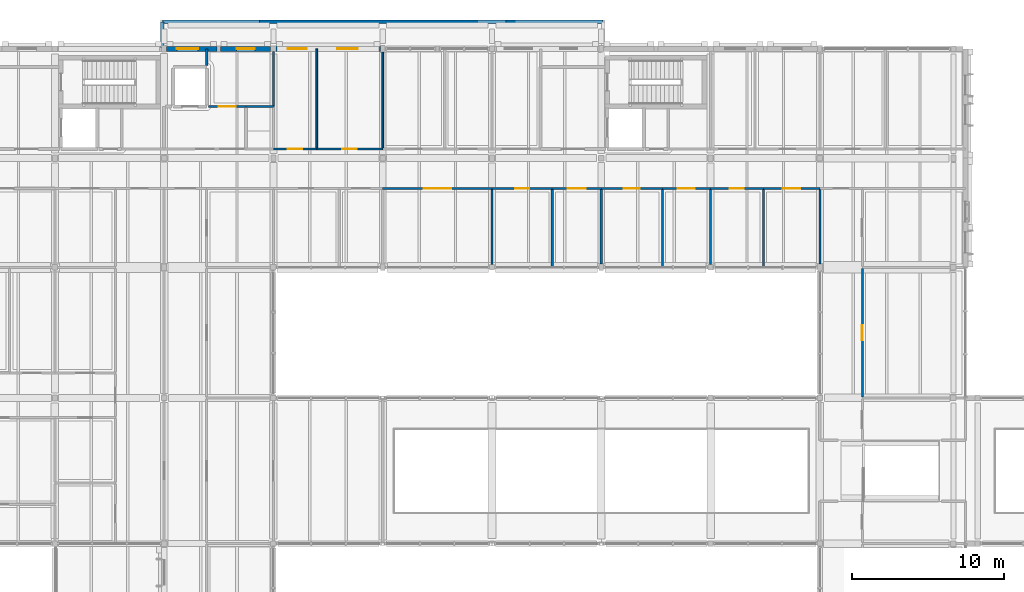
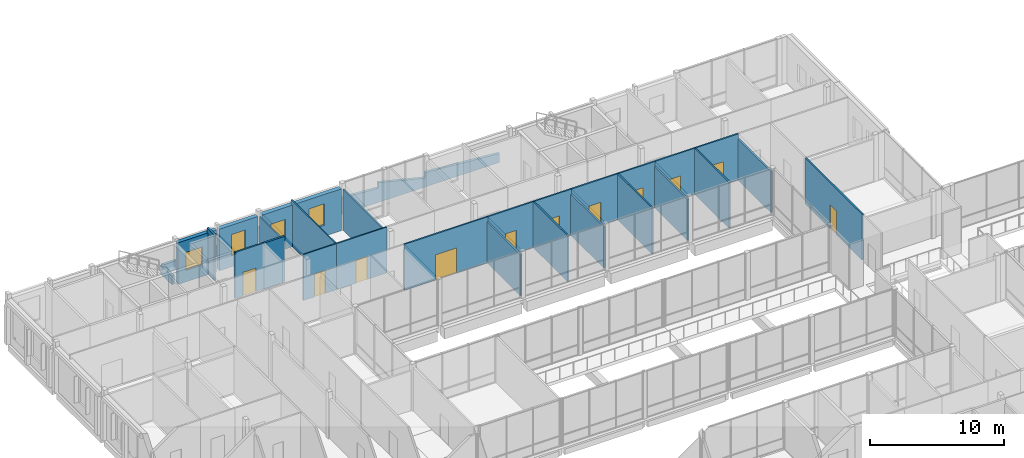
# One storey, part 110 of 146: 28 walls, 11 doors, 4 windows, 15 openings.
"""IFC4 building model written with IfcOpenShell, lengths in metres."""

from ifc_helpers import new_model, si_unit, direction, frame, frame_2d, origin, place, context, subcontext, project, spatial, polyline, rectangle, outline, extrude, material, layer, layer_set, type_object, element, fill, save


model = new_model("IFC4")

# Units and contexts
model_context = context("Model", 3, precision=1e-05, world=origin(), true_north=direction((0.0, 1.0)))
body_context = subcontext(model_context, "Body", "Model", "MODEL_VIEW")
ifc_project = project(units=[si_unit("LENGTHUNIT", "METRE"), si_unit("AREAUNIT", "SQUARE_METRE"), si_unit("VOLUMEUNIT", "CUBIC_METRE"), si_unit("PLANEANGLEUNIT", "RADIAN"), si_unit("MASSUNIT", "GRAM", prefix="KILO")], contexts=[model_context])

# Site, building, storey
site_placement = place(None, origin())
site = spatial("IfcSite", under=ifc_project, at=site_placement, CompositionType="ELEMENT")
building_placement = place(site_placement, origin())
building = spatial("IfcBuilding", under=site, at=building_placement, Name="Hawrajan Terrace Health Centre", CompositionType="ELEMENT")
storey_placement = place(building_placement, frame((0.0, 0.0, 4.5)))
storey = spatial("IfcBuildingStorey", under=building, at=storey_placement, Name="L01", CompositionType="ELEMENT", Elevation=4.5)

# Wall, opening, door
ifc_material_1 = material(Name="Gypsum board on acoustic stud framing")
ifc_layer_1 = layer(ifc_material_1, 0.139892578125)
ifc_layer_set_1 = layer_set([ifc_layer_1], Name="Gypsum board on acoustic stud framing")
wall_type_1 = type_object("IfcWallType", Name="ClinicalAcousticWall_140", PredefinedType="PARTITIONING", material=ifc_layer_set_1)
wall_1_placement = place(storey_placement, frame((21.909912109375, 56.0, 0.0), z_axis=(0.0, 0.0, 1.0), x_axis=(1.0, 0.0, 0.0)))
wall_1 = element("IfcWall", 1, at=wall_1_placement, inside=storey, type_object=wall_type_1, Name="Interior wall IW-L01-0562", PredefinedType="PARTITIONING", context=body_context, shape_type="SweptSolid", body=[
    extrude(rectangle(XDim=2.489990234375, YDim=0.139892578125, at=frame_2d((1.2451171875, 0.0))), origin(), (0.0, 0.0, 1.0), 4.179931640625),
])
opening_1_placement = place(wall_1_placement, frame((0.68505859375, 0.0, 0.0)))
opening_1 = element("IfcOpeningElement", 2, at=opening_1_placement, cuts=wall_1, Name="Opening D-L01-321", PredefinedType="OPENING", context=body_context, shape_type="SweptSolid", body=[
    extrude(rectangle(XDim=1.1201171875, YDim=2.14990234375, at=frame_2d((0.56005859375, 1.074951171875))), frame((0.0, 0.079833984375, 0.0), z_axis=(0.0, -1.0, 0.0), x_axis=(1.0, 0.0, 0.0)), (0.0, 0.0, 1.0), 0.159912109375),
])
ifc_material_2 = material(Name="Hardwood acoustic clinical door leaf and frame", Category="wood")
door_type_1 = type_object("IfcDoorType", Name="DentalSurgeryDoor_1120x2150", OperationType="NOTDEFINED", PredefinedType="DOOR", material=ifc_material_2)
door_1_placement = place(opening_1_placement, origin())
door_1 = element("IfcDoor", 3, at=door_1_placement, inside=storey, type_object=door_type_1, Name="Interior door D-L01-321", OperationType="SINGLE_SWING_LEFT", OverallHeight=2.14990234375, OverallWidth=1.1201171875, PredefinedType="DOOR", context=body_context, shape_type="SweptSolid", body=[
    extrude(rectangle(XDim=1.1201171875, YDim=2.14990234375, at=frame_2d((0.56005859375, 1.074951171875))), frame((0.0, 0.02490234375, 0.0), z_axis=(0.0, -1.0, 0.0), x_axis=(1.0, 0.0, 0.0)), (0.0, 0.0, 1.0), 0.050048828125),
])
fill(opening_1, door_1)

wall_2_placement = place(storey_placement, frame((33.39990234375, 50.60009765625, 0.0), z_axis=(0.0, 0.0, 1.0), x_axis=(1.0, 0.0, 0.0)))
wall_2 = element("IfcWall", 4, at=wall_2_placement, inside=storey, type_object=wall_type_1, Name="Interior wall IW-L01-0583", PredefinedType="PARTITIONING", context=body_context, shape_type="SweptSolid", body=[
    extrude(rectangle(XDim=7.2001953125, YDim=0.139892578125, at=frame_2d((3.60009765625, 0.0))), origin(), (0.0, 0.0, 1.0), 4.179931640625),
])
opening_2_placement = place(wall_2_placement, frame((2.699951171875, 0.0, 0.0)))
opening_2 = element("IfcOpeningElement", 5, at=opening_2_placement, cuts=wall_2, Name="Opening D-L01-324", PredefinedType="OPENING", context=body_context, shape_type="SweptSolid", body=[
    extrude(rectangle(XDim=1.800048828125, YDim=2.300048828125, at=frame_2d((0.89990234375, 1.14990234375))), frame((0.0, 0.079833984375, 0.0), z_axis=(0.0, -1.0, 0.0), x_axis=(1.0, 0.0, 0.0)), (0.0, 0.0, 1.0), 0.159912109375),
])
door_type_2 = type_object("IfcDoorType", Name="EducationHallDoor_1800x2300", OperationType="DOUBLE_DOOR_SINGLE_SWING", PredefinedType="DOOR", material=ifc_material_2)
door_2_placement = place(opening_2_placement, origin())
door_2 = element("IfcDoor", 6, at=door_2_placement, inside=storey, type_object=door_type_2, Name="Interior door D-L01-324", OperationType="DOUBLE_DOOR_SINGLE_SWING", OverallHeight=2.300048828125, OverallWidth=1.800048828125, PredefinedType="DOOR", context=body_context, shape_type="SweptSolid", body=[
    extrude(rectangle(XDim=1.800048828125, YDim=2.300048828125, at=frame_2d((0.89990234375, 1.14990234375))), frame((0.0, 0.02490234375, 0.0), z_axis=(0.0, -1.0, 0.0), x_axis=(1.0, 0.0, 0.0)), (0.0, 0.0, 1.0), 0.050048828125),
])
fill(opening_2, door_2)

# Wall
wall_3_placement = place(storey_placement, frame((40.60009765625, 45.580078125, 0.0), z_axis=(0.0, 0.0, 1.0), x_axis=(0.0, 1.0, 0.0)))
element("IfcWall", 7, at=wall_3_placement, inside=storey, type_object=wall_type_1, Name="Interior wall IW-L01-0592", PredefinedType="PARTITIONING", context=body_context, shape_type="SweptSolid", body=[
    extrude(rectangle(XDim=4.949951171875, YDim=0.139892578125, at=frame_2d((2.47509765625, 0.0))), origin(), (0.0, 0.0, 1.0), 3.739990234375),
])

# Wall, opening, door
wall_4_placement = place(storey_placement, frame((40.60009765625, 50.60009765625, 0.0), z_axis=(0.0, 0.0, 1.0), x_axis=(1.0, 0.0, 0.0)))
wall_4 = element("IfcWall", 8, at=wall_4_placement, inside=storey, type_object=wall_type_1, Name="Interior wall IW-L01-0593", PredefinedType="PARTITIONING", context=body_context, shape_type="SweptSolid", body=[
    extrude(rectangle(XDim=3.966796875, YDim=0.139892578125, at=frame_2d((1.9833984375, 0.0))), origin(), (0.0, 0.0, 1.0), 4.179931640625),
])
opening_3_placement = place(wall_4_placement, frame((1.5234375, 0.0, 0.0)))
opening_3 = element("IfcOpeningElement", 9, at=opening_3_placement, cuts=wall_4, Name="Opening D-L01-327", PredefinedType="OPENING", context=body_context, shape_type="SweptSolid", body=[
    extrude(rectangle(XDim=0.919921875, YDim=2.10009765625, at=frame_2d((0.4599609375, 1.050048828125))), frame((0.0, 0.079833984375, 0.0), z_axis=(0.0, -1.0, 0.0), x_axis=(1.0, 0.0, 0.0)), (0.0, 0.0, 1.0), 0.159912109375),
])
door_type_3 = type_object("IfcDoorType", Name="StaffOfficeDoor_920x2100", OperationType="NOTDEFINED", PredefinedType="DOOR", material=ifc_material_2)
door_3_placement = place(opening_3_placement, origin())
door_3 = element("IfcDoor", 10, at=door_3_placement, inside=storey, type_object=door_type_3, Name="Interior door D-L01-327", OperationType="SINGLE_SWING_LEFT", OverallHeight=2.10009765625, OverallWidth=0.919921875, PredefinedType="DOOR", context=body_context, shape_type="SweptSolid", body=[
    extrude(rectangle(XDim=0.919921875, YDim=2.10009765625, at=frame_2d((0.4599609375, 1.050048828125))), frame((0.0, 0.02490234375, 0.0), z_axis=(0.0, -1.0, 0.0), x_axis=(1.0, 0.0, 0.0)), (0.0, 0.0, 1.0), 0.050048828125),
])
fill(opening_3, door_3)

# Wall
wall_5_placement = place(storey_placement, frame((44.56689453125, 45.39990234375, 0.0), z_axis=(0.0, 0.0, 1.0), x_axis=(0.0, 1.0, 0.0)))
element("IfcWall", 11, at=wall_5_placement, inside=storey, type_object=wall_type_1, Name="Interior wall IW-L01-0598", PredefinedType="PARTITIONING", context=body_context, shape_type="SweptSolid", body=[
    extrude(rectangle(XDim=5.130126953125, YDim=0.139892578125, at=frame_2d((2.56494140625, 0.0))), origin(), (0.0, 0.0, 1.0), 4.179931640625),
])

# Wall, opening, door
wall_6_placement = place(storey_placement, frame((44.56689453125, 50.60009765625, 0.0), z_axis=(0.0, 0.0, 1.0), x_axis=(1.0, 0.0, 0.0)))
wall_6 = element("IfcWall", 12, at=wall_6_placement, inside=storey, type_object=wall_type_1, Name="Interior wall IW-L01-0599", PredefinedType="PARTITIONING", context=body_context, shape_type="SweptSolid", body=[
    extrude(rectangle(XDim=3.233154296875, YDim=0.139892578125, at=frame_2d((1.61669921875, 0.0))), origin(), (0.0, 0.0, 1.0), 4.179931640625),
])
opening_4_placement = place(wall_6_placement, frame((1.03662109375, 0.0, 0.0)))
opening_4 = element("IfcOpeningElement", 13, at=opening_4_placement, cuts=wall_6, Name="Opening D-L01-328", PredefinedType="OPENING", context=body_context, shape_type="SweptSolid", body=[
    extrude(rectangle(XDim=1.159912109375, YDim=2.10009765625, at=frame_2d((0.580078125, 1.050048828125))), frame((0.0, 0.079833984375, 0.0), z_axis=(0.0, -1.0, 0.0), x_axis=(1.0, 0.0, 0.0)), (0.0, 0.0, 1.0), 0.159912109375),
])
door_type_4 = type_object("IfcDoorType", Name="ConsultDoor_1160x2100", OperationType="NOTDEFINED", PredefinedType="DOOR", material=ifc_material_2)
door_4_placement = place(opening_4_placement, origin())
door_4 = element("IfcDoor", 14, at=door_4_placement, inside=storey, type_object=door_type_4, Name="Interior door D-L01-328", OperationType="SINGLE_SWING_RIGHT", OverallHeight=2.10009765625, OverallWidth=1.159912109375, PredefinedType="DOOR", context=body_context, shape_type="SweptSolid", body=[
    extrude(rectangle(XDim=1.159912109375, YDim=2.10009765625, at=frame_2d((0.580078125, 1.050048828125))), frame((0.0, 0.02490234375, 0.0), z_axis=(0.0, -1.0, 0.0), x_axis=(1.0, 0.0, 0.0)), (0.0, 0.0, 1.0), 0.050048828125),
])
fill(opening_4, door_4)

# Wall
wall_7_placement = place(storey_placement, frame((47.800048828125, 45.610107421875, 0.0), z_axis=(0.0, 0.0, 1.0), x_axis=(0.0, 1.0, 0.0)))
element("IfcWall", 15, at=wall_7_placement, inside=storey, type_object=wall_type_1, Name="Interior wall IW-L01-0603", PredefinedType="PARTITIONING", context=body_context, shape_type="SweptSolid", body=[
    extrude(rectangle(XDim=4.919921875, YDim=0.139892578125, at=frame_2d((2.4599609375, 0.0))), origin(), (0.0, 0.0, 1.0), 3.739990234375),
])

# Wall, opening, door
wall_8_placement = place(storey_placement, frame((47.800048828125, 50.60009765625, 0.0), z_axis=(0.0, 0.0, 1.0), x_axis=(1.0, 0.0, 0.0)))
wall_8 = element("IfcWall", 16, at=wall_8_placement, inside=storey, type_object=wall_type_1, Name="Interior wall IW-L01-0604", PredefinedType="PARTITIONING", context=body_context, shape_type="SweptSolid", body=[
    extrude(rectangle(XDim=4.02490234375, YDim=0.139892578125, at=frame_2d((2.012451171875, 0.0))), origin(), (0.0, 0.0, 1.0), 4.179931640625),
])
opening_5_placement = place(wall_8_placement, frame((1.492431640625, 0.0, 0.0)))
opening_5 = element("IfcOpeningElement", 17, at=opening_5_placement, cuts=wall_8, Name="Opening D-L01-330", PredefinedType="OPENING", context=body_context, shape_type="SweptSolid", body=[
    extrude(rectangle(XDim=1.0400390625, YDim=2.10009765625, at=frame_2d((0.52001953125, 1.050048828125))), frame((0.0, 0.079833984375, 0.0), z_axis=(0.0, -1.0, 0.0), x_axis=(1.0, 0.0, 0.0)), (0.0, 0.0, 1.0), 0.159912109375),
])
door_type_5 = type_object("IfcDoorType", Name="ConsultDoor_1040x2100", OperationType="NOTDEFINED", PredefinedType="DOOR", material=ifc_material_2)
door_5_placement = place(opening_5_placement, origin())
door_5 = element("IfcDoor", 18, at=door_5_placement, inside=storey, type_object=door_type_5, Name="Interior door D-L01-330", OperationType="SINGLE_SWING_RIGHT", OverallHeight=2.10009765625, OverallWidth=1.0400390625, PredefinedType="DOOR", context=body_context, shape_type="SweptSolid", body=[
    extrude(rectangle(XDim=1.0400390625, YDim=2.10009765625, at=frame_2d((0.52001953125, 1.050048828125))), frame((0.0, 0.02490234375, 0.0), z_axis=(0.0, -1.0, 0.0), x_axis=(1.0, 0.0, 0.0)), (0.0, 0.0, 1.0), 0.050048828125),
])
fill(opening_5, door_5)

# Wall
wall_9_placement = place(storey_placement, frame((51.824951171875, 45.39990234375, 0.0), z_axis=(0.0, 0.0, 1.0), x_axis=(0.0, 1.0, 0.0)))
element("IfcWall", 19, at=wall_9_placement, inside=storey, type_object=wall_type_1, Name="Interior wall IW-L01-0610", PredefinedType="PARTITIONING", context=body_context, shape_type="SweptSolid", body=[
    extrude(rectangle(XDim=5.130126953125, YDim=0.139892578125, at=frame_2d((2.56494140625, 0.0))), origin(), (0.0, 0.0, 1.0), 4.179931640625),
])

# Wall, opening, door
wall_10_placement = place(storey_placement, frame((51.824951171875, 50.60009765625, 0.0), z_axis=(0.0, 0.0, 1.0), x_axis=(1.0, 0.0, 0.0)))
wall_10 = element("IfcWall", 20, at=wall_10_placement, inside=storey, type_object=wall_type_1, Name="Interior wall IW-L01-0611", PredefinedType="PARTITIONING", context=body_context, shape_type="SweptSolid", body=[
    extrude(rectangle(XDim=3.175048828125, YDim=0.139892578125, at=frame_2d((1.58740234375, 0.0))), origin(), (0.0, 0.0, 1.0), 4.179931640625),
])
opening_6_placement = place(wall_10_placement, frame((1.027587890625, 0.0, 0.0)))
opening_6 = element("IfcOpeningElement", 21, at=opening_6_placement, cuts=wall_10, Name="Opening D-L01-331", PredefinedType="OPENING", context=body_context, shape_type="SweptSolid", body=[
    extrude(rectangle(XDim=1.1201171875, YDim=2.14990234375, at=frame_2d((0.56005859375, 1.074951171875))), frame((0.0, 0.079833984375, 0.0), z_axis=(0.0, -1.0, 0.0), x_axis=(1.0, 0.0, 0.0)), (0.0, 0.0, 1.0), 0.159912109375),
])
door_6_placement = place(opening_6_placement, origin())
door_6 = element("IfcDoor", 22, at=door_6_placement, inside=storey, type_object=door_type_1, Name="Interior door D-L01-331", OperationType="SINGLE_SWING_LEFT", OverallHeight=2.14990234375, OverallWidth=1.1201171875, PredefinedType="DOOR", context=body_context, shape_type="SweptSolid", body=[
    extrude(rectangle(XDim=1.1201171875, YDim=2.14990234375, at=frame_2d((0.56005859375, 1.074951171875))), frame((0.0, 0.02490234375, 0.0), z_axis=(0.0, -1.0, 0.0), x_axis=(1.0, 0.0, 0.0)), (0.0, 0.0, 1.0), 0.050048828125),
])
fill(opening_6, door_6)

# Wall
wall_11_placement = place(storey_placement, frame((55.0, 45.580078125, 0.0), z_axis=(0.0, 0.0, 1.0), x_axis=(0.0, 1.0, 0.0)))
element("IfcWall", 23, at=wall_11_placement, inside=storey, type_object=wall_type_1, Name="Interior wall IW-L01-0614", PredefinedType="PARTITIONING", context=body_context, shape_type="SweptSolid", body=[
    extrude(rectangle(XDim=4.949951171875, YDim=0.139892578125, at=frame_2d((2.47509765625, 0.0))), origin(), (0.0, 0.0, 1.0), 3.739990234375),
])

# Wall, opening, door
wall_12_placement = place(storey_placement, frame((55.0, 50.60009765625, 0.0), z_axis=(0.0, 0.0, 1.0), x_axis=(1.0, 0.0, 0.0)))
wall_12 = element("IfcWall", 24, at=wall_12_placement, inside=storey, type_object=wall_type_1, Name="Interior wall IW-L01-0615", PredefinedType="PARTITIONING", context=body_context, shape_type="SweptSolid", body=[
    extrude(rectangle(XDim=3.47802734375, YDim=0.139892578125, at=frame_2d((1.739013671875, 0.0))), origin(), (0.0, 0.0, 1.0), 4.179931640625),
])
opening_7_placement = place(wall_12_placement, frame((1.279052734375, 0.0, 0.0)))
opening_7 = element("IfcOpeningElement", 25, at=opening_7_placement, cuts=wall_12, Name="Opening D-L01-332", PredefinedType="OPENING", context=body_context, shape_type="SweptSolid", body=[
    extrude(rectangle(XDim=0.919921875, YDim=2.10009765625, at=frame_2d((0.4599609375, 1.050048828125))), frame((0.0, 0.079833984375, 0.0), z_axis=(0.0, -1.0, 0.0), x_axis=(1.0, 0.0, 0.0)), (0.0, 0.0, 1.0), 0.159912109375),
])
door_7_placement = place(opening_7_placement, origin())
door_7 = element("IfcDoor", 26, at=door_7_placement, inside=storey, type_object=door_type_3, Name="Interior door D-L01-332", OperationType="SINGLE_SWING_RIGHT", OverallHeight=2.10009765625, OverallWidth=0.919921875, PredefinedType="DOOR", context=body_context, shape_type="SweptSolid", body=[
    extrude(rectangle(XDim=0.919921875, YDim=2.10009765625, at=frame_2d((0.4599609375, 1.050048828125))), frame((0.0, 0.02490234375, 0.0), z_axis=(0.0, -1.0, 0.0), x_axis=(1.0, 0.0, 0.0)), (0.0, 0.0, 1.0), 0.050048828125),
])
fill(opening_7, door_7)

# Wall
wall_13_placement = place(storey_placement, frame((58.47802734375, 45.39990234375, 0.0), z_axis=(0.0, 0.0, 1.0), x_axis=(0.0, 1.0, 0.0)))
element("IfcWall", 27, at=wall_13_placement, inside=storey, type_object=wall_type_1, Name="Interior wall IW-L01-0622", PredefinedType="PARTITIONING", context=body_context, shape_type="SweptSolid", body=[
    extrude(rectangle(XDim=5.130126953125, YDim=0.139892578125, at=frame_2d((2.56494140625, 0.0))), origin(), (0.0, 0.0, 1.0), 4.179931640625),
])

# Wall, opening, door
wall_14_placement = place(storey_placement, frame((58.47802734375, 50.60009765625, 0.0), z_axis=(0.0, 0.0, 1.0), x_axis=(1.0, 0.0, 0.0)))
wall_14 = element("IfcWall", 28, at=wall_14_placement, inside=storey, type_object=wall_type_1, Name="Interior wall IW-L01-0623", PredefinedType="PARTITIONING", context=body_context, shape_type="SweptSolid", body=[
    extrude(rectangle(XDim=3.721923828125, YDim=0.139892578125, at=frame_2d((1.86083984375, 0.0))), origin(), (0.0, 0.0, 1.0), 4.179931640625),
])
opening_8_placement = place(wall_14_placement, frame((1.281005859375, 0.0, 0.0)))
opening_8 = element("IfcOpeningElement", 29, at=opening_8_placement, cuts=wall_14, Name="Opening D-L01-333", PredefinedType="OPENING", context=body_context, shape_type="SweptSolid", body=[
    extrude(rectangle(XDim=1.159912109375, YDim=2.10009765625, at=frame_2d((0.580078125, 1.050048828125))), frame((0.0, 0.079833984375, 0.0), z_axis=(0.0, -1.0, 0.0), x_axis=(1.0, 0.0, 0.0)), (0.0, 0.0, 1.0), 0.159912109375),
])
door_8_placement = place(opening_8_placement, origin())
door_8 = element("IfcDoor", 30, at=door_8_placement, inside=storey, type_object=door_type_4, Name="Interior door D-L01-333", OperationType="SINGLE_SWING_LEFT", OverallHeight=2.10009765625, OverallWidth=1.159912109375, PredefinedType="DOOR", context=body_context, shape_type="SweptSolid", body=[
    extrude(rectangle(XDim=1.159912109375, YDim=2.10009765625, at=frame_2d((0.580078125, 1.050048828125))), frame((0.0, 0.02490234375, 0.0), z_axis=(0.0, -1.0, 0.0), x_axis=(1.0, 0.0, 0.0)), (0.0, 0.0, 1.0), 0.050048828125),
])
fill(opening_8, door_8)

# Wall
wall_15_placement = place(storey_placement, frame((62.199951171875, 45.610107421875, 0.0), z_axis=(0.0, 0.0, 1.0), x_axis=(0.0, 1.0, 0.0)))
element("IfcWall", 31, at=wall_15_placement, inside=storey, type_object=wall_type_1, Name="Interior wall IW-L01-0627", PredefinedType="PARTITIONING", context=body_context, shape_type="SweptSolid", body=[
    extrude(rectangle(XDim=4.919921875, YDim=0.139892578125, at=frame_2d((2.4599609375, 0.0))), origin(), (0.0, 0.0, 1.0), 3.739990234375),
])

# Wall, opening, door
wall_16_placement = place(storey_placement, frame((65.0, 36.8701171875, 0.0), z_axis=(0.0, 0.0, 1.0), x_axis=(0.0, 1.0, 0.0)))
wall_16 = element("IfcWall", 32, at=wall_16_placement, inside=storey, type_object=wall_type_1, Name="Interior wall IW-L01-0640", PredefinedType="PARTITIONING", context=body_context, shape_type="SweptSolid", body=[
    extrude(rectangle(XDim=8.4599609375, YDim=0.139892578125, at=frame_2d((4.22998046875, 0.0))), origin(), (0.0, 0.0, 1.0), 4.179931640625),
])
opening_9_placement = place(wall_16_placement, frame((3.739990234375, 0.0, 0.0)))
opening_9 = element("IfcOpeningElement", 33, at=opening_9_placement, cuts=wall_16, Name="Opening D-L01-308", PredefinedType="OPENING", context=body_context, shape_type="SweptSolid", body=[
    extrude(rectangle(XDim=0.97998046875, YDim=2.14990234375, at=frame_2d((0.489990234375, 1.074951171875))), frame((0.0, 0.079833984375, 0.0), z_axis=(0.0, -1.0, 0.0), x_axis=(1.0, 0.0, 0.0)), (0.0, 0.0, 1.0), 0.159912109375),
])
door_type_6 = type_object("IfcDoorType", Name="ConsultDoor_980x2150", OperationType="NOTDEFINED", PredefinedType="DOOR", material=ifc_material_2)
door_9_placement = place(opening_9_placement, origin())
door_9 = element("IfcDoor", 34, at=door_9_placement, inside=storey, type_object=door_type_6, Name="Interior door D-L01-308", OperationType="SINGLE_SWING_RIGHT", OverallHeight=2.14990234375, OverallWidth=0.97998046875, PredefinedType="DOOR", context=body_context, shape_type="SweptSolid", body=[
    extrude(rectangle(XDim=0.97998046875, YDim=2.14990234375, at=frame_2d((0.489990234375, 1.074951171875))), frame((0.0, 0.02490234375, 0.0), z_axis=(0.0, -1.0, 0.0), x_axis=(1.0, 0.0, 0.0)), (0.0, 0.0, 1.0), 0.050048828125),
])
fill(opening_9, door_9)

# Wall, opening, window
ifc_material_3 = material(Name="Precast concrete C40/50", Category="concrete")
ifc_layer_2 = layer(ifc_material_3, 0.340087890625)
ifc_layer_set_2 = layer_set([ifc_layer_2], Name="Precast concrete C40/50")
wall_type_2 = type_object("IfcWallType", Name="CoralAshlarWall_340", PredefinedType="SOLIDWALL", material=ifc_layer_set_2)
wall_17_placement = place(storey_placement, frame((19.159912109375, 59.800048828125, 0.0), z_axis=(0.0, 0.0, 1.0), x_axis=(1.0, 0.0, 0.0)))
wall_17 = element("IfcWall", 35, at=wall_17_placement, inside=storey, type_object=wall_type_2, Name="Exterior wall EW-L01-H02-07-1", PredefinedType="SOLIDWALL", context=body_context, shape_type="SweptSolid", body=[
    extrude(rectangle(XDim=3.320068359375, YDim=0.340087890625, at=frame_2d((1.66015625, 0.0))), origin(), (0.0, 0.0, 1.0), 3.800048828125),
])
opening_10_placement = place(wall_17_placement, frame((0.679931640625, 0.0, 1.050048828125)))
opening_10 = element("IfcOpeningElement", 36, at=opening_10_placement, cuts=wall_17, Name="Opening W-L01-062", PredefinedType="OPENING", context=body_context, shape_type="SweptSolid", body=[
    extrude(rectangle(XDim=1.39990234375, YDim=1.64990234375, at=frame_2d((0.699951171875, 0.824951171875))), frame((0.0, 0.179931640625, 0.0), z_axis=(0.0, -1.0, 0.0), x_axis=(1.0, 0.0, 0.0)), (0.0, 0.0, 1.0), 0.360107421875),
])
ifc_material_4 = material(Name="Anodized bronze frame with double low-E glazing", Category="glass")
window_type_1 = type_object("IfcWindowType", Name="FacadeWindow_1400x1650", PartitioningType="SINGLE_PANEL", PredefinedType="WINDOW", material=ifc_material_4)
window_1_placement = place(opening_10_placement, origin())
window_1 = element("IfcWindow", 37, at=window_1_placement, inside=storey, type_object=window_type_1, Name="Window W-L01-062", OverallHeight=1.64990234375, OverallWidth=1.39990234375, PartitioningType="SINGLE_PANEL", PredefinedType="WINDOW", context=body_context, shape_type="SweptSolid", body=[
    extrude(rectangle(XDim=1.39990234375, YDim=1.64990234375, at=frame_2d((0.699951171875, 0.824951171875))), frame((0.0, 0.030029296875, 0.0), z_axis=(0.0, -1.0, 0.0), x_axis=(1.0, 0.0, 0.0)), (0.0, 0.0, 1.0), 0.06005859375),
])
fill(opening_10, window_1)

wall_18_placement = place(storey_placement, frame((22.719970703125, 59.800048828125, 0.0), z_axis=(0.0, 0.0, 1.0), x_axis=(1.0, 0.0, 0.0)))
wall_18 = element("IfcWall", 38, at=wall_18_placement, inside=storey, type_object=wall_type_2, Name="Exterior wall EW-L01-H02-07-2", PredefinedType="SOLIDWALL", context=body_context, shape_type="SweptSolid", body=[
    extrude(rectangle(XDim=3.300048828125, YDim=0.340087890625, at=frame_2d((1.64990234375, 0.0))), origin(), (0.0, 0.0, 1.0), 3.800048828125),
])
opening_11_placement = place(wall_18_placement, frame((1.050048828125, 0.0, 1.0)))
opening_11 = element("IfcOpeningElement", 39, at=opening_11_placement, cuts=wall_18, Name="Opening W-L01-063", PredefinedType="OPENING", context=body_context, shape_type="SweptSolid", body=[
    extrude(rectangle(XDim=1.199951171875, YDim=1.949951171875, at=frame_2d((0.60009765625, 0.97509765625))), frame((0.0, 0.179931640625, 0.0), z_axis=(0.0, -1.0, 0.0), x_axis=(1.0, 0.0, 0.0)), (0.0, 0.0, 1.0), 0.360107421875),
])
window_type_2 = type_object("IfcWindowType", Name="FacadeWindow_1200x1950", PartitioningType="SINGLE_PANEL", PredefinedType="WINDOW", material=ifc_material_4)
window_2_placement = place(opening_11_placement, origin())
window_2 = element("IfcWindow", 40, at=window_2_placement, inside=storey, type_object=window_type_2, Name="Window W-L01-063", OverallHeight=1.949951171875, OverallWidth=1.199951171875, PartitioningType="SINGLE_PANEL", PredefinedType="WINDOW", context=body_context, shape_type="SweptSolid", body=[
    extrude(rectangle(XDim=1.199951171875, YDim=1.949951171875, at=frame_2d((0.60009765625, 0.97509765625))), frame((0.0, 0.030029296875, 0.0), z_axis=(0.0, -1.0, 0.0), x_axis=(1.0, 0.0, 0.0)), (0.0, 0.0, 1.0), 0.06005859375),
])
fill(opening_11, window_2)

# Wall, openings, windows
ifc_layer_3 = layer(ifc_material_3, 0.360107421875)
ifc_layer_set_3 = layer_set([ifc_layer_3], Name="Precast concrete C40/50")
wall_type_3 = type_object("IfcWallType", Name="CoralPodiumWall_360", PredefinedType="SOLIDWALL", material=ifc_layer_set_3)
wall_19_placement = place(storey_placement, frame((26.3798828125, 59.800048828125, 0.0), z_axis=(0.0, 0.0, 1.0), x_axis=(1.0, 0.0, 0.0)))
wall_19 = element("IfcWall", 41, at=wall_19_placement, inside=storey, type_object=wall_type_3, Name="Exterior wall EW-L01-H03-07-1", PredefinedType="SOLIDWALL", context=body_context, shape_type="SweptSolid", body=[
    extrude(rectangle(XDim=6.860107421875, YDim=0.360107421875, at=frame_2d((3.43017578125, 0.0))), origin(), (0.0, 0.0, 1.0), 3.800048828125),
])
opening_12_placement = place(wall_19_placement, frame((0.764892578125, 0.0, 1.050048828125)))
opening_12 = element("IfcOpeningElement", 42, at=opening_12_placement, cuts=wall_19, Name="Opening W-L01-066", PredefinedType="OPENING", context=body_context, shape_type="SweptSolid", body=[
    extrude(rectangle(XDim=1.260009765625, YDim=1.64990234375, at=frame_2d((0.6298828125, 0.824951171875))), frame((0.0, 0.18994140625, 0.0), z_axis=(0.0, -1.0, 0.0), x_axis=(1.0, 0.0, 0.0)), (0.0, 0.0, 1.0), 0.380126953125),
])
opening_13_placement = place(wall_19_placement, frame((4.034912109375, 0.0, 1.0)))
opening_13 = element("IfcOpeningElement", 43, at=opening_13_placement, cuts=wall_19, Name="Opening W-L01-067", PredefinedType="OPENING", context=body_context, shape_type="SweptSolid", body=[
    extrude(rectangle(XDim=1.340087890625, YDim=1.949951171875, at=frame_2d((0.669921875, 0.97509765625))), frame((0.0, 0.18994140625, 0.0), z_axis=(0.0, -1.0, 0.0), x_axis=(1.0, 0.0, 0.0)), (0.0, 0.0, 1.0), 0.380126953125),
])
window_type_3 = type_object("IfcWindowType", Name="FacadeWindow_1260x1650", PartitioningType="SINGLE_PANEL", PredefinedType="WINDOW", material=ifc_material_4)
window_3_placement = place(opening_12_placement, origin())
window_3 = element("IfcWindow", 44, at=window_3_placement, inside=storey, type_object=window_type_3, Name="Window W-L01-066", OverallHeight=1.64990234375, OverallWidth=1.260009765625, PartitioningType="SINGLE_PANEL", PredefinedType="WINDOW", context=body_context, shape_type="SweptSolid", body=[
    extrude(rectangle(XDim=1.260009765625, YDim=1.64990234375, at=frame_2d((0.6298828125, 0.824951171875))), frame((0.0, 0.030029296875, 0.0), z_axis=(0.0, -1.0, 0.0), x_axis=(1.0, 0.0, 0.0)), (0.0, 0.0, 1.0), 0.06005859375),
])
fill(opening_12, window_3)
window_type_4 = type_object("IfcWindowType", Name="FacadeWindow_1340x1950", PartitioningType="SINGLE_PANEL", PredefinedType="WINDOW", material=ifc_material_4)
window_4_placement = place(opening_13_placement, origin())
window_4 = element("IfcWindow", 45, at=window_4_placement, inside=storey, type_object=window_type_4, Name="Window W-L01-067", OverallHeight=1.949951171875, OverallWidth=1.340087890625, PartitioningType="SINGLE_PANEL", PredefinedType="WINDOW", context=body_context, shape_type="SweptSolid", body=[
    extrude(rectangle(XDim=1.340087890625, YDim=1.949951171875, at=frame_2d((0.669921875, 0.97509765625))), frame((0.0, 0.030029296875, 0.0), z_axis=(0.0, -1.0, 0.0), x_axis=(1.0, 0.0, 0.0)), (0.0, 0.0, 1.0), 0.06005859375),
])
fill(opening_13, window_4)

# Walls
ifc_layer_4 = layer(ifc_material_1, 0.159912109375)
ifc_layer_set_4 = layer_set([ifc_layer_4], Name="Gypsum board on acoustic stud framing")
wall_type_4 = type_object("IfcWallType", Name="CorridorFireWall_160", PredefinedType="PARTITIONING", material=ifc_layer_set_4)
wall_20_placement = place(storey_placement, frame((24.39990234375, 56.0, 0.0), z_axis=(0.0, 0.0, 1.0), x_axis=(1.0, 0.0, 0.0)))
element("IfcWall", 46, at=wall_20_placement, inside=storey, type_object=wall_type_4, Name="Interior wall IW-L01-0935", PredefinedType="PARTITIONING", context=body_context, shape_type="SweptSolid", body=[
    extrude(rectangle(XDim=1.800048828125, YDim=0.159912109375, at=frame_2d((0.89990234375, 0.0))), origin(), (0.0, 0.0, 1.0), 4.179931640625),
])
wall_21_placement = place(storey_placement, frame((21.800048828125, 58.7099609375, 0.0), z_axis=(0.0, 0.0, 1.0), x_axis=(0.0, 1.0, 0.0)))
element("IfcWall", 47, at=wall_21_placement, inside=storey, type_object=wall_type_4, Name="Interior wall IW-L01-0936", PredefinedType="PARTITIONING", context=body_context, shape_type="SweptSolid", body=[
    extrude(rectangle(XDim=1.090087890625, YDim=0.159912109375, at=frame_2d((0.544921875, 0.0))), origin(), (0.0, 0.0, 1.0), 4.179931640625),
])

# Wall, opening, door
ifc_material_5 = material(Name="Moisture-resistant board on stud framing")
ifc_layer_5 = layer(ifc_material_5, 0.1201171875)
ifc_layer_set_5 = layer_set([ifc_layer_5], Name="Moisture-resistant board on stud framing")
wall_type_5 = type_object("IfcWallType", Name="WetRoomPartition_120", PredefinedType="PLUMBINGWALL", material=ifc_layer_set_5)
wall_22_placement = place(storey_placement, frame((26.199951171875, 53.199951171875, 0.0), z_axis=(0.0, 0.0, 1.0), x_axis=(1.0, 0.0, 0.0)))
wall_22 = element("IfcWall", 48, at=wall_22_placement, inside=storey, type_object=wall_type_5, Name="Interior wall IW-L01-0570", PredefinedType="PLUMBINGWALL", context=body_context, shape_type="SweptSolid", body=[
    extrude(rectangle(XDim=2.85009765625, YDim=0.1201171875, at=frame_2d((1.425048828125, 0.0))), origin(), (0.0, 0.0, 1.0), 4.179931640625),
])
opening_14_placement = place(wall_22_placement, frame((0.949951171875, 0.0, 0.0)))
opening_14 = element("IfcOpeningElement", 49, at=opening_14_placement, cuts=wall_22, Name="Opening D-L01-300", PredefinedType="OPENING", context=body_context, shape_type="SweptSolid", body=[
    extrude(rectangle(XDim=0.949951171875, YDim=2.10009765625, at=frame_2d((0.47509765625, 1.050048828125))), frame((0.0, 0.070068359375, 0.0), z_axis=(0.0, -1.0, 0.0), x_axis=(1.0, 0.0, 0.0)), (0.0, 0.0, 1.0), 0.14013671875),
])
door_type_7 = type_object("IfcDoorType", Name="AccessibleWCDoor_950x2100", OperationType="NOTDEFINED", PredefinedType="DOOR", material=ifc_material_2)
door_10_placement = place(opening_14_placement, origin())
door_10 = element("IfcDoor", 50, at=door_10_placement, inside=storey, type_object=door_type_7, Name="Interior door D-L01-300", OperationType="SINGLE_SWING_RIGHT", OverallHeight=2.10009765625, OverallWidth=0.949951171875, PredefinedType="DOOR", context=body_context, shape_type="SweptSolid", body=[
    extrude(rectangle(XDim=0.949951171875, YDim=2.10009765625, at=frame_2d((0.47509765625, 1.050048828125))), frame((0.0, 0.02490234375, 0.0), z_axis=(0.0, -1.0, 0.0), x_axis=(1.0, 0.0, 0.0)), (0.0, 0.0, 1.0), 0.050048828125),
])
fill(opening_14, door_10)

# Walls
wall_23_placement = place(storey_placement, frame((26.199951171875, 56.0, 0.0), z_axis=(0.0, 0.0, 1.0), x_axis=(0.0, 1.0, 0.0)))
element("IfcWall", 51, at=wall_23_placement, inside=storey, type_object=wall_type_5, Name="Interior wall IW-L01-0571", PredefinedType="PLUMBINGWALL", context=body_context, shape_type="SweptSolid", body=[
    extrude(rectangle(XDim=3.6201171875, YDim=0.1201171875, at=frame_2d((1.81005859375, 0.0))), origin(), (0.0, 0.0, 1.0), 3.739990234375),
])
wall_24_placement = place(storey_placement, frame((29.050048828125, 53.27001953125, 0.0), z_axis=(0.0, 0.0, 1.0), x_axis=(0.0, 1.0, 0.0)))
element("IfcWall", 52, at=wall_24_placement, inside=storey, type_object=wall_type_5, Name="Interior wall IW-L01-0572", PredefinedType="PLUMBINGWALL", context=body_context, shape_type="SweptSolid", body=[
    extrude(rectangle(XDim=6.530029296875, YDim=0.1201171875, at=frame_2d((3.26513671875, 0.0))), origin(), (0.0, 0.0, 1.0), 4.179931640625),
])

# Wall, opening, door
wall_25_placement = place(storey_placement, frame((29.050048828125, 53.199951171875, 0.0), z_axis=(0.0, 0.0, 1.0), x_axis=(1.0, 0.0, 0.0)))
wall_25 = element("IfcWall", 53, at=wall_25_placement, inside=storey, type_object=wall_type_5, Name="Interior wall IW-L01-0573", PredefinedType="PLUMBINGWALL", context=body_context, shape_type="SweptSolid", body=[
    extrude(rectangle(XDim=4.349853515625, YDim=0.1201171875, at=frame_2d((2.1748046875, 0.0))), origin(), (0.0, 0.0, 1.0), 4.179931640625),
])
opening_15_placement = place(wall_25_placement, frame((1.699951171875, 0.0, 0.0)))
opening_15 = element("IfcOpeningElement", 54, at=opening_15_placement, cuts=wall_25, Name="Opening D-L01-301", PredefinedType="OPENING", context=body_context, shape_type="SweptSolid", body=[
    extrude(rectangle(XDim=0.949951171875, YDim=2.10009765625, at=frame_2d((0.47509765625, 1.050048828125))), frame((0.0, 0.070068359375, 0.0), z_axis=(0.0, -1.0, 0.0), x_axis=(1.0, 0.0, 0.0)), (0.0, 0.0, 1.0), 0.14013671875),
])
door_11_placement = place(opening_15_placement, origin())
door_11 = element("IfcDoor", 55, at=door_11_placement, inside=storey, type_object=door_type_7, Name="Interior door D-L01-301", OperationType="SINGLE_SWING_LEFT", OverallHeight=2.10009765625, OverallWidth=0.949951171875, PredefinedType="DOOR", context=body_context, shape_type="SweptSolid", body=[
    extrude(rectangle(XDim=0.949951171875, YDim=2.10009765625, at=frame_2d((0.47509765625, 1.050048828125))), frame((0.0, 0.02490234375, 0.0), z_axis=(0.0, -1.0, 0.0), x_axis=(1.0, 0.0, 0.0)), (0.0, 0.0, 1.0), 0.050048828125),
])
fill(opening_15, door_11)

# Walls
wall_26_placement = place(storey_placement, frame((33.39990234375, 53.27001953125, 0.0), z_axis=(0.0, 0.0, 1.0), x_axis=(0.0, 1.0, 0.0)))
element("IfcWall", 56, at=wall_26_placement, inside=storey, type_object=wall_type_5, Name="Interior wall IW-L01-0584", PredefinedType="PLUMBINGWALL", context=body_context, shape_type="SweptSolid", body=[
    extrude(rectangle(XDim=6.320068359375, YDim=0.1201171875, at=frame_2d((3.16015625, 0.0))), origin(), (0.0, 0.0, 1.0), 3.739990234375),
])
ifc_layer_6 = layer(ifc_material_3, 0.22998046875)
ifc_layer_set_6 = layer_set([ifc_layer_6], Name="Precast concrete C40/50")
wall_type_6 = type_object("IfcWallType", Name="ZigguratParapet_230", PredefinedType="PARAPET", material=ifc_layer_set_6)
wall_27_placement = place(storey_placement, frame((18.8798828125, 61.580078125, -0.050048828125), z_axis=(0.0, 0.0, 1.0), x_axis=(1.0, 0.0, 0.0)))
element("IfcWall", 57, at=wall_27_placement, inside=storey, type_object=wall_type_6, Name="Stepped Art Deco parapet PAR-ARC-N-FRONT", PredefinedType="PARAPET", context=body_context, shape_type="SweptSolid", body=[
    extrude(outline(polyline([(0.0, 0.0), (29.0400390625, 0.0), (29.0400390625, 0.800048828125), (22.651123046875, 1.300048828125), (22.651123046875, 0.800048828125), (18.585693359375, 1.800048828125), (18.585693359375, 1.300048828125), (10.454345703125, 1.800048828125), (10.454345703125, 1.300048828125), (6.388916015625, 1.300048828125), (6.388916015625, 0.800048828125), (0.0, 0.800048828125), (0.0, 0.0)])), frame((0.0, 0.114990234375, 0.0), z_axis=(0.0, -1.0, 0.0), x_axis=(1.0, 0.0, 0.0)), (0.0, 0.0, 1.0), 0.22998046875),
])
wall_28_placement = place(storey_placement, frame((18.8798828125, 59.89990234375, -0.050048828125), z_axis=(0.0, 0.0, 1.0), x_axis=(0.0, 1.0, 0.0)))
element("IfcWall", 58, at=wall_28_placement, inside=storey, type_object=wall_type_6, Name="Stepped Art Deco parapet PAR-ARC-N-W", PredefinedType="PARAPET", context=body_context, shape_type="SweptSolid", body=[
    extrude(rectangle(XDim=1.68017578125, YDim=0.22998046875, at=frame_2d((0.840087890625, 0.0))), origin(), (0.0, 0.0, 1.0), 0.800048828125),
])

save(model, "model.ifc")
